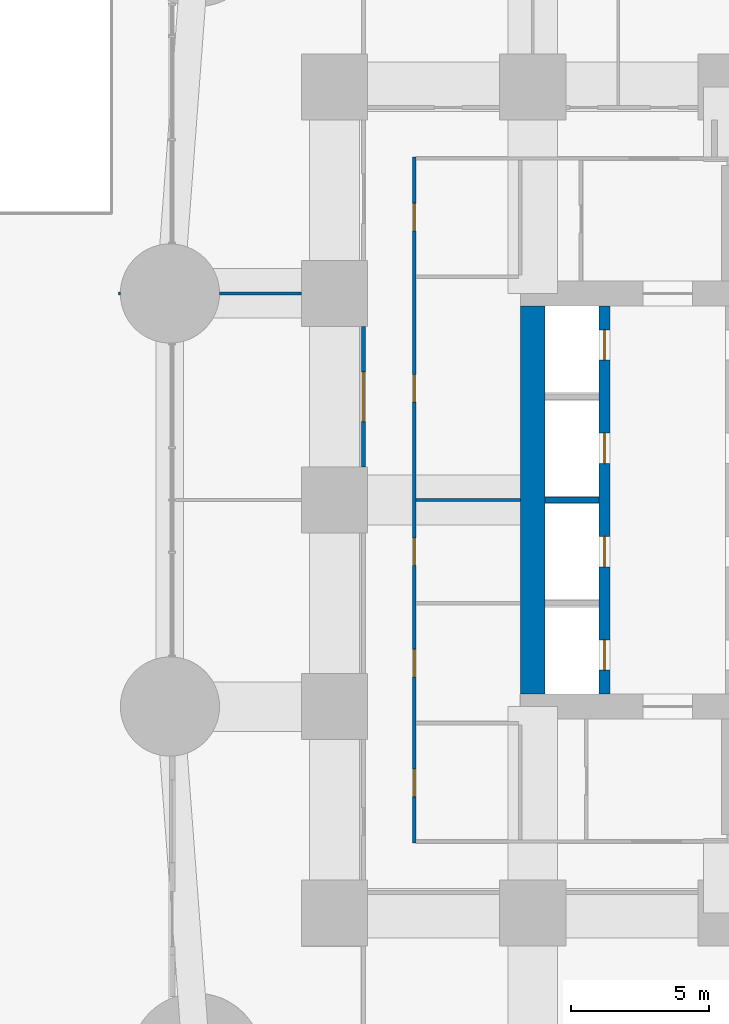
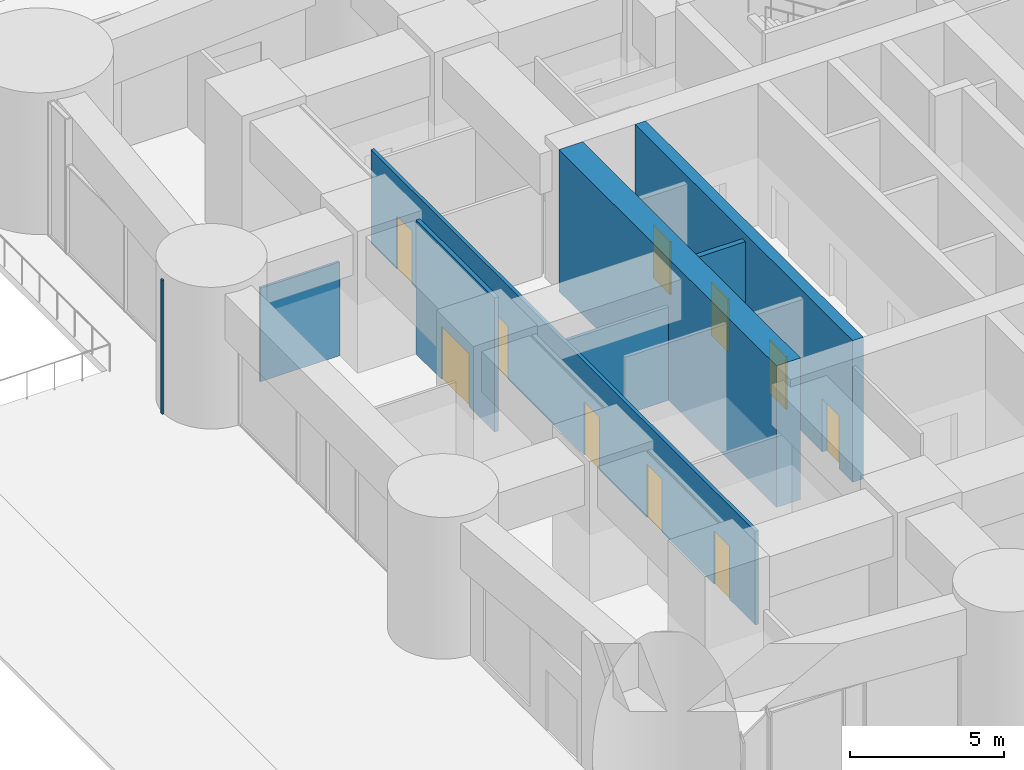
# One storey, part 10 of 16: 10 doors, 8 walls, 10 openings.
"""IFC4 building model written with IfcOpenShell, lengths in metres."""

from ifc_helpers import new_model, si_unit, direction, frame, frame_2d, origin, place, context, subcontext, project, spatial, rectangle, extrude, material, layer, layer_set, type_object, element, fill, save


model = new_model("IFC4")

# Units and contexts
model_context = context("Model", 3, precision=1e-05, world=origin(), true_north=direction((0.0, 1.0)))
body_context = subcontext(model_context, "Body", "Model", "MODEL_VIEW")
ifc_project = project(units=[si_unit("LENGTHUNIT", "METRE"), si_unit("AREAUNIT", "SQUARE_METRE"), si_unit("VOLUMEUNIT", "CUBIC_METRE"), si_unit("PLANEANGLEUNIT", "RADIAN"), si_unit("MASSUNIT", "GRAM", prefix="KILO")], contexts=[model_context])

# Site, building, storey
site_placement = place(None, origin())
site = spatial("IfcSite", under=ifc_project, at=site_placement, CompositionType="ELEMENT")
building_placement = place(site_placement, origin())
building = spatial("IfcBuilding", under=site, at=building_placement, Name="Sheger Commons Tower", CompositionType="ELEMENT")
storey_placement = place(building_placement, origin())
storey = spatial("IfcBuildingStorey", under=building, at=storey_placement, Name="L00", CompositionType="ELEMENT", Elevation=0.0)

# Wall, openings, doors
ifc_material_1 = material(Name="Concrete C50/60", Category="concrete")
ifc_layer_1 = layer(ifc_material_1, 0.39990234375)
ifc_layer_set_1 = layer_set([ifc_layer_1], Name="CORE INNER WALL 400")
wall_type_1 = type_object("IfcWallType", Name="CORE INNER WALL 400", PredefinedType="SHEAR", material=ifc_layer_set_1)
wall_1_placement = place(storey_placement, frame((17.0, 15.449951171875, 0.0), z_axis=(0.0, 0.0, 1.0), x_axis=(0.0, 1.0, 0.0)))
wall_1 = element("IfcWall", 1, at=wall_1_placement, inside=storey, type_object=wall_type_1, Name="Core inner wall A L00", PredefinedType="SHEAR", context=body_context, shape_type="SweptSolid", body=[
    extrude(rectangle(XDim=14.10009765625, YDim=0.39990234375, at=frame_2d((7.050048828125, 0.0))), origin(), (0.0, 0.0, 1.0), 5.60009765625),
])
opening_1_placement = place(wall_1_placement, frame((0.875, 0.0, 0.0)))
opening_1 = element("IfcOpeningElement", 2, at=opening_1_placement, cuts=wall_1, Name="Opening LD", PredefinedType="OPENING", context=body_context, shape_type="SweptSolid", body=[
    extrude(rectangle(XDim=1.10009765625, YDim=2.10009765625, at=frame_2d((0.550048828125, 1.050048828125))), frame((0.0, 0.2099609375, 0.0), z_axis=(0.0, -1.0, 0.0), x_axis=(1.0, 0.0, 0.0)), (0.0, 0.0, 1.0), 0.419921875),
])
opening_2_placement = place(wall_1_placement, frame((4.625, 0.0, 0.0)))
opening_2 = element("IfcOpeningElement", 3, at=opening_2_placement, cuts=wall_1, Name="Opening LD", PredefinedType="OPENING", context=body_context, shape_type="SweptSolid", body=[
    extrude(rectangle(XDim=1.10009765625, YDim=2.10009765625, at=frame_2d((0.550048828125, 1.050048828125))), frame((0.0, 0.2099609375, 0.0), z_axis=(0.0, -1.0, 0.0), x_axis=(1.0, 0.0, 0.0)), (0.0, 0.0, 1.0), 0.419921875),
])
opening_3_placement = place(wall_1_placement, frame((8.375, 0.0, 0.0)))
opening_3 = element("IfcOpeningElement", 4, at=opening_3_placement, cuts=wall_1, Name="Opening LD", PredefinedType="OPENING", context=body_context, shape_type="SweptSolid", body=[
    extrude(rectangle(XDim=1.10009765625, YDim=2.10009765625, at=frame_2d((0.550048828125, 1.050048828125))), frame((0.0, 0.2099609375, 0.0), z_axis=(0.0, -1.0, 0.0), x_axis=(1.0, 0.0, 0.0)), (0.0, 0.0, 1.0), 0.419921875),
])
opening_4_placement = place(wall_1_placement, frame((12.125, 0.0, 0.0)))
opening_4 = element("IfcOpeningElement", 5, at=opening_4_placement, cuts=wall_1, Name="Opening LD", PredefinedType="OPENING", context=body_context, shape_type="SweptSolid", body=[
    extrude(rectangle(XDim=1.10009765625, YDim=2.10009765625, at=frame_2d((0.550048828125, 1.050048828125))), frame((0.0, 0.2099609375, 0.0), z_axis=(0.0, -1.0, 0.0), x_axis=(1.0, 0.0, 0.0)), (0.0, 0.0, 1.0), 0.419921875),
])
ifc_material_2 = material(Name="Steel door set, fire rated", Category="steel")
door_type_1 = type_object("IfcDoorType", Name="LIFT LANDING DOOR 1100x2100", OperationType="DOUBLE_DOOR_SLIDING", PredefinedType="DOOR", material=ifc_material_2)
door_1_placement = place(opening_1_placement, origin())
door_1 = element("IfcDoor", 6, at=door_1_placement, inside=storey, type_object=door_type_1, Name="Lift LA1 landing door", OperationType="DOUBLE_DOOR_SLIDING", OverallHeight=2.10009765625, OverallWidth=1.10009765625, PredefinedType="DOOR", context=body_context, shape_type="SweptSolid", body=[
    extrude(rectangle(XDim=1.10009765625, YDim=2.10009765625, at=frame_2d((0.550048828125, 1.050048828125))), frame((0.0, 0.02490234375, 0.0), z_axis=(0.0, -1.0, 0.0), x_axis=(1.0, 0.0, 0.0)), (0.0, 0.0, 1.0), 0.050048828125),
])
fill(opening_1, door_1)
door_2_placement = place(opening_2_placement, origin())
door_2 = element("IfcDoor", 7, at=door_2_placement, inside=storey, type_object=door_type_1, Name="Lift LA2 landing door", OperationType="DOUBLE_DOOR_SLIDING", OverallHeight=2.10009765625, OverallWidth=1.10009765625, PredefinedType="DOOR", context=body_context, shape_type="SweptSolid", body=[
    extrude(rectangle(XDim=1.10009765625, YDim=2.10009765625, at=frame_2d((0.550048828125, 1.050048828125))), frame((0.0, 0.02490234375, 0.0), z_axis=(0.0, -1.0, 0.0), x_axis=(1.0, 0.0, 0.0)), (0.0, 0.0, 1.0), 0.050048828125),
])
fill(opening_2, door_2)
door_3_placement = place(opening_3_placement, origin())
door_3 = element("IfcDoor", 8, at=door_3_placement, inside=storey, type_object=door_type_1, Name="Lift LA3 landing door", OperationType="DOUBLE_DOOR_SLIDING", OverallHeight=2.10009765625, OverallWidth=1.10009765625, PredefinedType="DOOR", context=body_context, shape_type="SweptSolid", body=[
    extrude(rectangle(XDim=1.10009765625, YDim=2.10009765625, at=frame_2d((0.550048828125, 1.050048828125))), frame((0.0, 0.02490234375, 0.0), z_axis=(0.0, -1.0, 0.0), x_axis=(1.0, 0.0, 0.0)), (0.0, 0.0, 1.0), 0.050048828125),
])
fill(opening_3, door_3)
door_4_placement = place(opening_4_placement, origin())
door_4 = element("IfcDoor", 9, at=door_4_placement, inside=storey, type_object=door_type_1, Name="Lift LA4 landing door", OperationType="DOUBLE_DOOR_SLIDING", OverallHeight=2.10009765625, OverallWidth=1.10009765625, PredefinedType="DOOR", context=body_context, shape_type="SweptSolid", body=[
    extrude(rectangle(XDim=1.10009765625, YDim=2.10009765625, at=frame_2d((0.550048828125, 1.050048828125))), frame((0.0, 0.02490234375, 0.0), z_axis=(0.0, -1.0, 0.0), x_axis=(1.0, 0.0, 0.0)), (0.0, 0.0, 1.0), 0.050048828125),
])
fill(opening_4, door_4)

# Wall
ifc_material_3 = material(Name="Concrete C50/60", Category="concrete")
ifc_layer_2 = layer(ifc_material_3, 0.89990234375)
ifc_layer_set_2 = layer_set([ifc_layer_2], Name="CORE WALL 900")
wall_type_2 = type_object("IfcWallType", Name="CORE WALL 900", PredefinedType="SHEAR", material=ifc_layer_set_2)
wall_2_placement = place(storey_placement, frame((14.39990234375, 15.449951171875, 0.0), z_axis=(0.0, 0.0, 1.0), x_axis=(0.0, 1.0, 0.0)))
element("IfcWall", 10, at=wall_2_placement, inside=storey, type_object=wall_type_2, Name="Core wall west L00", PredefinedType="SHEAR", context=body_context, shape_type="SweptSolid", body=[
    extrude(rectangle(XDim=14.10009765625, YDim=0.89990234375, at=frame_2d((7.050048828125, 0.0))), origin(), (0.0, 0.0, 1.0), 5.60009765625),
])

# Wall, opening, door
ifc_material_4 = material(Name="Hollow concrete block masonry, skimmed both sides", Category="masonry")
ifc_layer_3 = layer(ifc_material_4, 0.14990234375)
ifc_layer_set_3 = layer_set([ifc_layer_3], Name="CORRIDOR WALL 150")
wall_type_3 = type_object("IfcWallType", Name="CORRIDOR WALL 150", PredefinedType="SOLIDWALL", material=ifc_layer_set_3)
wall_3_placement = place(storey_placement, frame((8.25, 23.700927734375, 0.0), z_axis=(0.0, 0.0, 1.0), x_axis=(0.0, 1.0, 0.0)))
wall_3 = element("IfcWall", 11, at=wall_3_placement, inside=storey, type_object=wall_type_3, Name="Corridor wall L00", PredefinedType="SOLIDWALL", context=body_context, shape_type="SweptSolid", body=[
    extrude(rectangle(XDim=5.09814453125, YDim=0.14990234375, at=frame_2d((2.549072265625, 0.0))), origin(), (0.0, 0.0, 1.0), 5.300048828125),
])
opening_5_placement = place(wall_3_placement, frame((1.64892578125, 0.0, 0.0)))
opening_5 = element("IfcOpeningElement", 12, at=opening_5_placement, cuts=wall_3, Name="Opening D6", PredefinedType="OPENING", context=body_context, shape_type="SweptSolid", body=[
    extrude(rectangle(XDim=1.800048828125, YDim=2.10009765625, at=frame_2d((0.89990234375, 1.050048828125))), frame((0.0, 0.0849609375, 0.0), z_axis=(0.0, -1.0, 0.0), x_axis=(1.0, 0.0, 0.0)), (0.0, 0.0, 1.0), 0.169921875),
])
ifc_material_5 = material(Name="Steel door set, fire rated", Category="steel")
door_type_2 = type_object("IfcDoorType", Name="LOBBY DOUBLE DOOR 1800x2100", OperationType="DOUBLE_DOOR_SINGLE_SWING", PredefinedType="DOOR", material=ifc_material_5)
door_5_placement = place(opening_5_placement, origin())
door_5 = element("IfcDoor", 13, at=door_5_placement, inside=storey, type_object=door_type_2, Name="Pharmacy door", OperationType="DOUBLE_DOOR_SINGLE_SWING", OverallHeight=2.10009765625, OverallWidth=1.800048828125, PredefinedType="DOOR", context=body_context, shape_type="SweptSolid", body=[
    extrude(rectangle(XDim=1.800048828125, YDim=2.10009765625, at=frame_2d((0.89990234375, 1.050048828125))), frame((0.0, 0.02490234375, 0.0), z_axis=(0.0, -1.0, 0.0), x_axis=(1.0, 0.0, 0.0)), (0.0, 0.0, 1.0), 0.050048828125),
])
fill(opening_5, door_5)

# Walls
ifc_material_6 = material(Name="Gypsum board on steel studs", Category="steel")
ifc_layer_4 = layer(ifc_material_6, 0.10009765625)
ifc_layer_set_4 = layer_set([ifc_layer_4], Name="PARTITION 100")
wall_type_4 = type_object("IfcWallType", Name="PARTITION 100", PredefinedType="PARTITIONING", material=ifc_layer_set_4)
wall_4_placement = place(storey_placement, frame((-0.64990234375, 30.0, 0.0), z_axis=(0.0, 0.0, 1.0), x_axis=(1.0, 0.0, 0.0)))
element("IfcWall", 14, at=wall_4_placement, inside=storey, type_object=wall_type_4, Name="Partition L00", PredefinedType="PARTITIONING", context=body_context, shape_type="SweptSolid", body=[
    extrude(rectangle(XDim=0.073974609375, YDim=0.10009765625, at=frame_2d((0.037109375, 0.0))), origin(), (0.0, 0.0, 1.0), 5.300048828125),
])
wall_5_placement = place(storey_placement, frame((3.02587890625, 30.0, 0.0), z_axis=(0.0, 0.0, 1.0), x_axis=(1.0, 0.0, 0.0)))
element("IfcWall", 15, at=wall_5_placement, inside=storey, type_object=wall_type_4, Name="Partition L00", PredefinedType="PARTITIONING", context=body_context, shape_type="SweptSolid", body=[
    extrude(rectangle(XDim=2.97314453125, YDim=0.10009765625, at=frame_2d((1.486572265625, 0.0))), origin(), (0.0, 0.0, 1.0), 3.699951171875),
])

# Wall, openings, doors
ifc_material_7 = material(Name="Gypsum board on steel studs, two layers each side, fire rated", Category="steel")
ifc_layer_5 = layer(ifc_material_7, 0.125)
ifc_layer_set_5 = layer_set([ifc_layer_5], Name="SERVICE WALL 125")
wall_type_5 = type_object("IfcWallType", Name="SERVICE WALL 125", PredefinedType="PARTITIONING", material=ifc_layer_set_5)
wall_6_placement = place(storey_placement, frame((10.10009765625, 10.050048828125, 0.0), z_axis=(0.0, 0.0, 1.0), x_axis=(0.0, 1.0, 0.0)))
wall_6 = element("IfcWall", 16, at=wall_6_placement, inside=storey, type_object=wall_type_5, Name="Service room wall L00", PredefinedType="PARTITIONING", context=body_context, shape_type="SweptSolid", body=[
    extrude(rectangle(XDim=24.89990234375, YDim=0.125, at=frame_2d((12.449951171875, 0.0))), origin(), (0.0, 0.0, 1.0), 3.699951171875),
])
opening_6_placement = place(wall_6_placement, frame((1.675048828125, 0.0, 0.0)))
opening_6 = element("IfcOpeningElement", 17, at=opening_6_placement, cuts=wall_6, Name="Opening D4", PredefinedType="OPENING", context=body_context, shape_type="SweptSolid", body=[
    extrude(rectangle(XDim=1.0, YDim=2.10009765625, at=frame_2d((0.5, 1.050048828125))), frame((0.0, 0.072509765625, 0.0), z_axis=(0.0, -1.0, 0.0), x_axis=(1.0, 0.0, 0.0)), (0.0, 0.0, 1.0), 0.14501953125),
])
opening_7_placement = place(wall_6_placement, frame((16.0, 0.0, 0.0)))
opening_7 = element("IfcOpeningElement", 18, at=opening_7_placement, cuts=wall_6, Name="Opening D4", PredefinedType="OPENING", context=body_context, shape_type="SweptSolid", body=[
    extrude(rectangle(XDim=1.0, YDim=2.10009765625, at=frame_2d((0.5, 1.050048828125))), frame((0.0, 0.072509765625, 0.0), z_axis=(0.0, -1.0, 0.0), x_axis=(1.0, 0.0, 0.0)), (0.0, 0.0, 1.0), 0.14501953125),
])
opening_8_placement = place(wall_6_placement, frame((22.22509765625, 0.0, 0.0)))
opening_8 = element("IfcOpeningElement", 19, at=opening_8_placement, cuts=wall_6, Name="Opening D4", PredefinedType="OPENING", context=body_context, shape_type="SweptSolid", body=[
    extrude(rectangle(XDim=1.0, YDim=2.10009765625, at=frame_2d((0.5, 1.050048828125))), frame((0.0, 0.072509765625, 0.0), z_axis=(0.0, -1.0, 0.0), x_axis=(1.0, 0.0, 0.0)), (0.0, 0.0, 1.0), 0.14501953125),
])
opening_9_placement = place(wall_6_placement, frame((6.02490234375, 0.0, 0.0)))
opening_9 = element("IfcOpeningElement", 20, at=opening_9_placement, cuts=wall_6, Name="Opening D4", PredefinedType="OPENING", context=body_context, shape_type="SweptSolid", body=[
    extrude(rectangle(XDim=1.0, YDim=2.10009765625, at=frame_2d((0.5, 1.050048828125))), frame((0.0, 0.072509765625, 0.0), z_axis=(0.0, -1.0, 0.0), x_axis=(1.0, 0.0, 0.0)), (0.0, 0.0, 1.0), 0.14501953125),
])
opening_10_placement = place(wall_6_placement, frame((10.074951171875, 0.0, 0.0)))
opening_10 = element("IfcOpeningElement", 21, at=opening_10_placement, cuts=wall_6, Name="Opening D4", PredefinedType="OPENING", context=body_context, shape_type="SweptSolid", body=[
    extrude(rectangle(XDim=1.0, YDim=2.10009765625, at=frame_2d((0.5, 1.050048828125))), frame((0.0, 0.072509765625, 0.0), z_axis=(0.0, -1.0, 0.0), x_axis=(1.0, 0.0, 0.0)), (0.0, 0.0, 1.0), 0.14501953125),
])
ifc_material_8 = material(Name="Steel door set, fire rated", Category="steel")
door_type_3 = type_object("IfcDoorType", Name="SERVICE DOOR 1000x2100", OperationType="NOTDEFINED", PredefinedType="DOOR", material=ifc_material_8)
door_6_placement = place(opening_6_placement, origin())
door_6 = element("IfcDoor", 22, at=door_6_placement, inside=storey, type_object=door_type_3, Name="Public WC door", OperationType="SINGLE_SWING_RIGHT", OverallHeight=2.10009765625, OverallWidth=1.0, PredefinedType="DOOR", context=body_context, shape_type="SweptSolid", body=[
    extrude(rectangle(XDim=1.0, YDim=2.10009765625, at=frame_2d((0.5, 1.050048828125))), frame((0.0, 0.02490234375, 0.0), z_axis=(0.0, -1.0, 0.0), x_axis=(1.0, 0.0, 0.0)), (0.0, 0.0, 1.0), 0.050048828125),
])
fill(opening_6, door_6)
door_7_placement = place(opening_7_placement, origin())
door_7 = element("IfcDoor", 23, at=door_7_placement, inside=storey, type_object=door_type_3, Name="Mail room door", OperationType="SINGLE_SWING_LEFT", OverallHeight=2.10009765625, OverallWidth=1.0, PredefinedType="DOOR", context=body_context, shape_type="SweptSolid", body=[
    extrude(rectangle(XDim=1.0, YDim=2.10009765625, at=frame_2d((0.5, 1.050048828125))), frame((0.0, 0.02490234375, 0.0), z_axis=(0.0, -1.0, 0.0), x_axis=(1.0, 0.0, 0.0)), (0.0, 0.0, 1.0), 0.050048828125),
])
fill(opening_7, door_7)
door_8_placement = place(opening_8_placement, origin())
door_8 = element("IfcDoor", 24, at=door_8_placement, inside=storey, type_object=door_type_3, Name="Cleaner's store door", OperationType="SINGLE_SWING_LEFT", OverallHeight=2.10009765625, OverallWidth=1.0, PredefinedType="DOOR", context=body_context, shape_type="SweptSolid", body=[
    extrude(rectangle(XDim=1.0, YDim=2.10009765625, at=frame_2d((0.5, 1.050048828125))), frame((0.0, 0.02490234375, 0.0), z_axis=(0.0, -1.0, 0.0), x_axis=(1.0, 0.0, 0.0)), (0.0, 0.0, 1.0), 0.050048828125),
])
fill(opening_8, door_8)
door_9_placement = place(opening_9_placement, origin())
door_9 = element("IfcDoor", 25, at=door_9_placement, inside=storey, type_object=door_type_3, Name="Accessible WC door", OperationType="SINGLE_SWING_LEFT", OverallHeight=2.10009765625, OverallWidth=1.0, PredefinedType="DOOR", context=body_context, shape_type="SweptSolid", body=[
    extrude(rectangle(XDim=1.0, YDim=2.10009765625, at=frame_2d((0.5, 1.050048828125))), frame((0.0, 0.02490234375, 0.0), z_axis=(0.0, -1.0, 0.0), x_axis=(1.0, 0.0, 0.0)), (0.0, 0.0, 1.0), 0.050048828125),
])
fill(opening_9, door_9)
door_10_placement = place(opening_10_placement, origin())
door_10 = element("IfcDoor", 26, at=door_10_placement, inside=storey, type_object=door_type_3, Name="Parents' room door", OperationType="SINGLE_SWING_LEFT", OverallHeight=2.10009765625, OverallWidth=1.0, PredefinedType="DOOR", context=body_context, shape_type="SweptSolid", body=[
    extrude(rectangle(XDim=1.0, YDim=2.10009765625, at=frame_2d((0.5, 1.050048828125))), frame((0.0, 0.02490234375, 0.0), z_axis=(0.0, -1.0, 0.0), x_axis=(1.0, 0.0, 0.0)), (0.0, 0.0, 1.0), 0.050048828125),
])
fill(opening_10, door_10)

# Walls
wall_7_placement = place(storey_placement, frame((10.1630859375, 22.5, 0.0), z_axis=(0.0, 0.0, 1.0), x_axis=(1.0, 0.0, 0.0)))
element("IfcWall", 27, at=wall_7_placement, inside=storey, type_object=wall_type_5, Name="Service room wall L00", PredefinedType="PARTITIONING", context=body_context, shape_type="SweptSolid", body=[
    extrude(rectangle(XDim=3.786865234375, YDim=0.125, at=frame_2d((1.8935546875, 0.0))), origin(), (0.0, 0.0, 1.0), 3.699951171875),
])
ifc_material_9 = material(Name="Hollow concrete block masonry", Category="masonry")
ifc_layer_6 = layer(ifc_material_9, 0.199951171875)
ifc_layer_set_6 = layer_set([ifc_layer_6], Name="SHAFT WALL 200")
wall_type_6 = type_object("IfcWallType", Name="SHAFT WALL 200", PredefinedType="SOLIDWALL", material=ifc_layer_set_6)
wall_8_placement = place(storey_placement, frame((14.85009765625, 22.5, 0.0), z_axis=(0.0, 0.0, 1.0), x_axis=(1.0, 0.0, 0.0)))
element("IfcWall", 28, at=wall_8_placement, inside=storey, type_object=wall_type_6, Name="Lift shaft wall L00", PredefinedType="SOLIDWALL", context=body_context, shape_type="SweptSolid", body=[
    extrude(rectangle(XDim=1.949951171875, YDim=0.199951171875, at=frame_2d((0.97509765625, 0.0))), origin(), (0.0, 0.0, 1.0), 5.300048828125),
])

save(model, "model.ifc")
